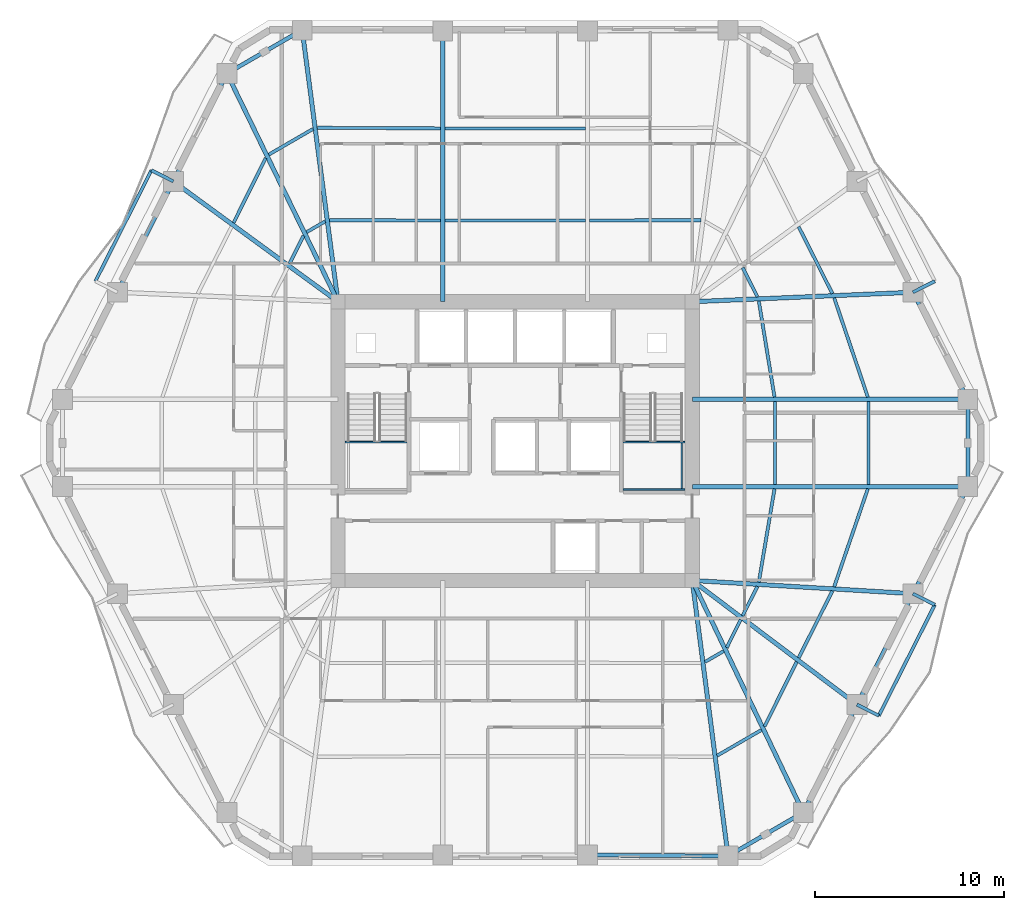
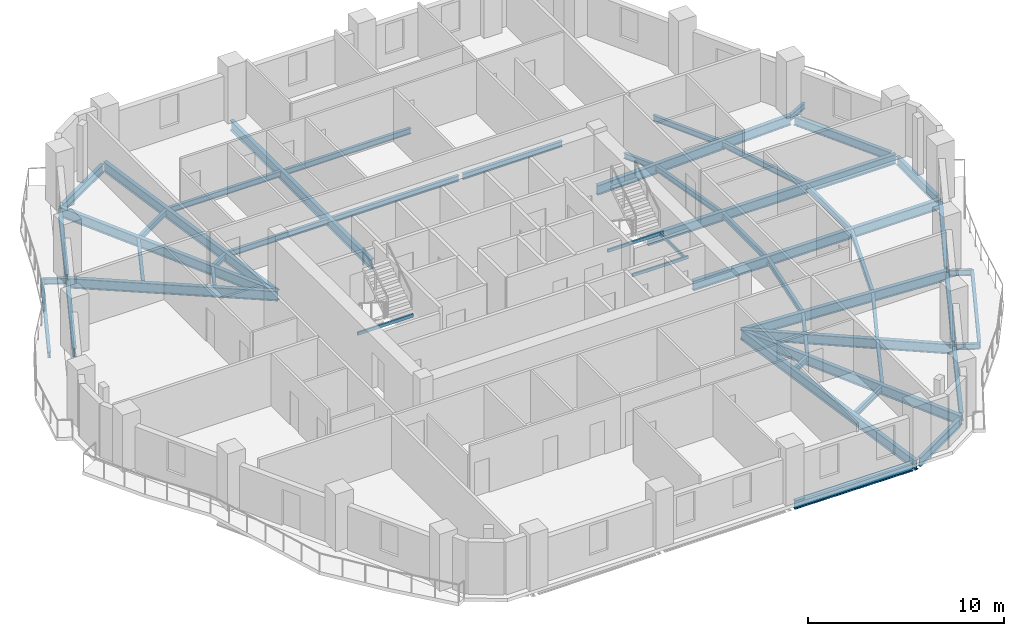
# One storey, part 2 of 11: 54 beams.
"""IFC4 building model written with IfcOpenShell, lengths in metres."""

from ifc_helpers import new_model, si_unit, direction, frame, origin, origin_2d, place, context, subcontext, project, spatial, hollow_rectangle, i_section, extrude, material, material_profile, profile_set, type_object, element, save


model = new_model("IFC4")

# Units and contexts
model_context = context("Model", 3, precision=1e-05, world=origin(), true_north=direction((0.0, 1.0)))
body_context = subcontext(model_context, "Body", "Model", "MODEL_VIEW")
ifc_project = project(units=[si_unit("LENGTHUNIT", "METRE"), si_unit("AREAUNIT", "SQUARE_METRE"), si_unit("VOLUMEUNIT", "CUBIC_METRE"), si_unit("PLANEANGLEUNIT", "RADIAN"), si_unit("MASSUNIT", "GRAM", prefix="KILO")], contexts=[model_context])

# Site, building, storey
site_placement = place(None, origin())
site = spatial("IfcSite", under=ifc_project, at=site_placement, CompositionType="ELEMENT")
building_placement = place(site_placement, origin())
building = spatial("IfcBuilding", under=site, at=building_placement, Name="Cinnabar Lancet Tower", CompositionType="ELEMENT")
storey_placement = place(building_placement, frame((0.0, 0.0, 144.550048828125)))
storey = spatial("IfcBuildingStorey", under=building, at=storey_placement, Name="L38", CompositionType="ELEMENT", Elevation=144.550048828125)

# Beams
ifc_material_1 = material(Name="Structural steel S355", Category="steel")
ifc_material_profile_1 = material_profile(ifc_material_1, i_section(OverallWidth=0.17138671875, OverallDepth=0.35498046875, WebThickness=0.00732421875, FlangeThickness=0.011474609375, FilletRadius=0.01025390625, at=origin_2d()), Name="UKB 356x171x51")
ifc_profile_set_1 = profile_set([ifc_material_profile_1], Name="Structural steel S355")
beam_type_1 = type_object("IfcBeamType", Name="STR-BM-JST-356", PredefinedType="JOIST", material=ifc_profile_set_1)
beam_1_placement = place(storey_placement, frame((43.093994140625, 9.251953125, -0.387939453125), z_axis=(0.865172906898, 0.501473669469, 0.0), x_axis=(-0.501473669469, 0.865172906898, 0.0)))
element("IfcBeam", 1, at=beam_1_placement, inside=storey, type_object=beam_type_1, Name="L38 Secondary Floor Joist 15", PredefinedType="JOIST", context=body_context, shape_type="SweptSolid", body=[
    extrude(i_section(OverallWidth=0.17138671875, OverallDepth=0.35498046875, WebThickness=0.00732421875, FlangeThickness=0.011474609375, FilletRadius=0.01025390625, at=origin_2d()), origin(), (0.0, 0.0, 1.0), 2.705810546875),
])
beam_2_placement = place(storey_placement, frame((42.449951171875, 14.2109375, -0.387939453125), z_axis=(0.865055308165, 0.501676503154, 0.0), x_axis=(-0.501676503154, 0.865055308165, 0.0)))
element("IfcBeam", 2, at=beam_2_placement, inside=storey, type_object=beam_type_1, Name="L38 Secondary Floor Joist 16", PredefinedType="JOIST", context=body_context, shape_type="SweptSolid", body=[
    extrude(i_section(OverallWidth=0.17138671875, OverallDepth=0.35498046875, WebThickness=0.00732421875, FlangeThickness=0.011474609375, FilletRadius=0.01025390625, at=origin_2d()), origin(), (0.0, 0.0, 1.0), 1.14208984375),
])
beam_3_placement = place(storey_placement, frame((45.59912109375, 10.7958984375, -0.387939453125), z_axis=(0.445295120803, 0.895383859241, 0.0), x_axis=(-0.895383859241, 0.445295120803, 0.0)))
element("IfcBeam", 3, at=beam_3_placement, inside=storey, type_object=beam_type_1, Name="L38 Secondary Floor Joist 17", PredefinedType="JOIST", context=body_context, shape_type="SweptSolid", body=[
    extrude(i_section(OverallWidth=0.17138671875, OverallDepth=0.35498046875, WebThickness=0.00732421875, FlangeThickness=0.011474609375, FilletRadius=0.01025390625, at=origin_2d()), origin(), (0.0, 0.0, 1.0), 3.81982421875),
])
beam_4_placement = place(storey_placement, frame((43.60205078125, 14.970947265625, -0.387939453125), z_axis=(0.44543923568, 0.895312173109, 0.0), x_axis=(-0.895312173109, 0.44543923568, 0.0)))
element("IfcBeam", 4, at=beam_4_placement, inside=storey, type_object=beam_type_1, Name="L38 Secondary Floor Joist 18", PredefinedType="JOIST", context=body_context, shape_type="SweptSolid", body=[
    extrude(i_section(OverallWidth=0.17138671875, OverallDepth=0.35498046875, WebThickness=0.00732421875, FlangeThickness=0.011474609375, FilletRadius=0.01025390625, at=origin_2d()), origin(), (0.0, 0.0, 1.0), 1.65185546875),
])
beam_5_placement = place(storey_placement, frame((47.404052734375, 14.424072265625, -0.387939453125), z_axis=(0.450706028652, 0.892672434736, 0.0), x_axis=(-0.892672434736, 0.450706028652, 0.0)))
element("IfcBeam", 5, at=beam_5_placement, inside=storey, type_object=beam_type_1, Name="L38 Secondary Floor Joist 19", PredefinedType="JOIST", context=body_context, shape_type="SweptSolid", body=[
    extrude(i_section(OverallWidth=0.17138671875, OverallDepth=0.35498046875, WebThickness=0.00732421875, FlangeThickness=0.011474609375, FilletRadius=0.01025390625, at=origin_2d()), origin(), (0.0, 0.0, 1.0), 3.966796875),
])
beam_6_placement = place(storey_placement, frame((44.44091796875, 16.657958984375, -0.387939453125), z_axis=(0.450874341268, 0.892587434589, 0.0), x_axis=(-0.892587434589, 0.450874341268, 0.0)))
element("IfcBeam", 6, at=beam_6_placement, inside=storey, type_object=beam_type_1, Name="L38 Secondary Floor Joist 20", PredefinedType="JOIST", context=body_context, shape_type="SweptSolid", body=[
    extrude(i_section(OverallWidth=0.17138671875, OverallDepth=0.35498046875, WebThickness=0.00732421875, FlangeThickness=0.011474609375, FilletRadius=0.01025390625, at=origin_2d()), origin(), (0.0, 0.0, 1.0), 1.732177734375),
])
beam_7_placement = place(storey_placement, frame((49.287109375, 18.18798828125, -0.387939453125), z_axis=(0.324639458548, 0.945837841257, 0.0), x_axis=(-0.945837841257, 0.324639458548, 0.0)))
element("IfcBeam", 7, at=beam_7_placement, inside=storey, type_object=beam_type_1, Name="L38 Secondary Floor Joist 21", PredefinedType="JOIST", context=body_context, shape_type="SweptSolid", body=[
    extrude(i_section(OverallWidth=0.17138671875, OverallDepth=0.35498046875, WebThickness=0.00732421875, FlangeThickness=0.011474609375, FilletRadius=0.01025390625, at=origin_2d()), origin(), (0.0, 0.0, 1.0), 5.486083984375),
])
beam_8_placement = place(storey_placement, frame((45.297119140625, 18.427978515625, -0.387939453125), z_axis=(0.165937104691, 0.986136338082, 0.0), x_axis=(-0.986136338082, 0.165937104691, 0.0)))
element("IfcBeam", 8, at=beam_8_placement, inside=storey, type_object=beam_type_1, Name="L38 Secondary Floor Joist 22", PredefinedType="JOIST", context=body_context, shape_type="SweptSolid", body=[
    extrude(i_section(OverallWidth=0.17138671875, OverallDepth=0.35498046875, WebThickness=0.00732421875, FlangeThickness=0.011474609375, FilletRadius=0.01025390625, at=origin_2d()), origin(), (0.0, 0.0, 1.0), 5.0185546875),
])
for number, where, z_axis, x_axis, name in (
    (9, (51.10693359375, 23.60498046875, -0.387939453125), (0.0, 1.0, 0.0), (-1.0, 0.0, 0.0), "L38 Secondary Floor Joist 23"),
    (10, (46.14990234375, 23.60498046875, -0.387939453125), (0.0, 1.0, 0.0), (-1.0, 0.0, 0.0), "L38 Secondary Floor Joist 24"),
):
    element("IfcBeam", number, at=place(storey_placement, frame(where, z_axis=z_axis, x_axis=x_axis)), inside=storey, type_object=beam_type_1, Name=name, PredefinedType="JOIST", context=body_context, shape_type="SweptSolid", body=[
        extrude(i_section(OverallWidth=0.17138671875, OverallDepth=0.35498046875, WebThickness=0.00732421875, FlangeThickness=0.011474609375, FilletRadius=0.01025390625, at=origin_2d()), origin(), (0.0, 0.0, 1.0), 4.39013671875),
    ])
beam_9_placement = place(storey_placement, frame((51.069091796875, 28.222900390625, -0.387939453125), z_axis=(-0.321063338019, 0.947057724207, 0.0), x_axis=(-0.947057724207, -0.321063338019, 0.0)))
element("IfcBeam", 11, at=beam_9_placement, inside=storey, type_object=beam_type_1, Name="L38 Secondary Floor Joist 25", PredefinedType="JOIST", context=body_context, shape_type="SweptSolid", body=[
    extrude(i_section(OverallWidth=0.17138671875, OverallDepth=0.35498046875, WebThickness=0.00732421875, FlangeThickness=0.011474609375, FilletRadius=0.01025390625, at=origin_2d()), origin(), (0.0, 0.0, 1.0), 5.553955078125),
])
beam_10_placement = place(storey_placement, frame((46.131103515625, 28.222900390625, -0.387939453125), z_axis=(-0.161719098977, 0.986836832017, 0.0), x_axis=(-0.986836832017, -0.161719098977, 0.0)))
element("IfcBeam", 12, at=beam_10_placement, inside=storey, type_object=beam_type_1, Name="L38 Secondary Floor Joist 26", PredefinedType="JOIST", context=body_context, shape_type="SweptSolid", body=[
    extrude(i_section(OverallWidth=0.17138671875, OverallDepth=0.35498046875, WebThickness=0.00732421875, FlangeThickness=0.011474609375, FilletRadius=0.01025390625, at=origin_2d()), origin(), (0.0, 0.0, 1.0), 5.156982421875),
])
beam_11_placement = place(storey_placement, frame((49.19189453125, 33.70703125, -0.387939453125), z_axis=(-0.450606998706, 0.892722427587, 0.0), x_axis=(-0.892722427587, -0.450606998706, 0.0)))
element("IfcBeam", 13, at=beam_11_placement, inside=storey, type_object=beam_type_1, Name="L38 Secondary Floor Joist 27", PredefinedType="JOIST", context=body_context, shape_type="SweptSolid", body=[
    extrude(i_section(OverallWidth=0.17138671875, OverallDepth=0.35498046875, WebThickness=0.00732421875, FlangeThickness=0.011474609375, FilletRadius=0.01025390625, at=origin_2d()), origin(), (0.0, 0.0, 1.0), 3.967529296875),
])
beam_12_placement = place(storey_placement, frame((45.221923828125, 33.537109375, -0.387939453125), z_axis=(-0.450931068976, 0.892558777354, 0.0), x_axis=(-0.892558777354, -0.450931068976, 0.0)))
element("IfcBeam", 14, at=beam_12_placement, inside=storey, type_object=beam_type_1, Name="L38 Secondary Floor Joist 28", PredefinedType="JOIST", context=body_context, shape_type="SweptSolid", body=[
    extrude(i_section(OverallWidth=0.17138671875, OverallDepth=0.35498046875, WebThickness=0.00732421875, FlangeThickness=0.011474609375, FilletRadius=0.01025390625, at=origin_2d()), origin(), (0.0, 0.0, 1.0), 1.73193359375),
])
beam_13_placement = place(storey_placement, frame((42.22802734375, 37.591064453125, -0.387939453125), z_axis=(-0.999996247906, -0.002739374605, 0.0), x_axis=(0.002739374605, -0.999996247906, 0.0)))
element("IfcBeam", 15, at=beam_13_placement, inside=storey, type_object=beam_type_1, Name="L38 Secondary Floor Joist 34", PredefinedType="JOIST", context=body_context, shape_type="SweptSolid", body=[
    extrude(i_section(OverallWidth=0.17138671875, OverallDepth=0.35498046875, WebThickness=0.00732421875, FlangeThickness=0.011474609375, FilletRadius=0.01025390625, at=origin_2d()), origin(), (0.0, 0.0, 1.0), 5.882080078125),
])
for number, where, z_axis, x_axis, name in (
    (16, (36.117919921875, 42.447998046875, -0.387939453125), (-1.0, 0.0, 0.0), (0.0, -1.0, 0.0), "L38 Secondary Floor Joist 35"),
    (17, (36.117919921875, 37.574951171875, -0.387939453125), (-1.0, 0.0, 0.0), (0.0, -1.0, 0.0), "L38 Secondary Floor Joist 36"),
):
    element("IfcBeam", number, at=place(storey_placement, frame(where, z_axis=z_axis, x_axis=x_axis)), inside=storey, type_object=beam_type_1, Name=name, PredefinedType="JOIST", context=body_context, shape_type="SweptSolid", body=[
        extrude(i_section(OverallWidth=0.17138671875, OverallDepth=0.35498046875, WebThickness=0.00732421875, FlangeThickness=0.011474609375, FilletRadius=0.01025390625, at=origin_2d()), origin(), (0.0, 0.0, 1.0), 7.43603515625),
    ])
beam_14_placement = place(storey_placement, frame((28.4541015625, 42.448974609375, -0.387939453125), z_axis=(-0.999987991898, 0.004900618269, 0.0), x_axis=(-0.004900618269, -0.999987991898, 0.0)))
element("IfcBeam", 18, at=beam_14_placement, inside=storey, type_object=beam_type_1, Name="L38 Secondary Floor Joist 37", PredefinedType="JOIST", context=body_context, shape_type="SweptSolid", body=[
    extrude(i_section(OverallWidth=0.17138671875, OverallDepth=0.35498046875, WebThickness=0.00732421875, FlangeThickness=0.011474609375, FilletRadius=0.01025390625, at=origin_2d()), origin(), (0.0, 0.0, 1.0), 6.526123046875),
])
beam_15_placement = place(storey_placement, frame((28.4541015625, 37.574951171875, -0.387939453125), z_axis=(-0.999996247906, 0.002739374605, 0.0), x_axis=(-0.002739374605, -0.999996247906, 0.0)))
element("IfcBeam", 19, at=beam_15_placement, inside=storey, type_object=beam_type_1, Name="L38 Secondary Floor Joist 38", PredefinedType="JOIST", context=body_context, shape_type="SweptSolid", body=[
    extrude(i_section(OverallWidth=0.17138671875, OverallDepth=0.35498046875, WebThickness=0.00732421875, FlangeThickness=0.011474609375, FilletRadius=0.01025390625, at=origin_2d()), origin(), (0.0, 0.0, 1.0), 5.882080078125),
])
beam_16_placement = place(storey_placement, frame((21.7060546875, 42.419921875, -0.387939453125), z_axis=(-0.865172906898, -0.501473669469, 0.0), x_axis=(0.501473669469, -0.865172906898, 0.0)))
element("IfcBeam", 20, at=beam_16_placement, inside=storey, type_object=beam_type_1, Name="L38 Secondary Floor Joist 39", PredefinedType="JOIST", context=body_context, shape_type="SweptSolid", body=[
    extrude(i_section(OverallWidth=0.17138671875, OverallDepth=0.35498046875, WebThickness=0.00732421875, FlangeThickness=0.011474609375, FilletRadius=0.01025390625, at=origin_2d()), origin(), (0.0, 0.0, 1.0), 2.705810546875),
])
beam_17_placement = place(storey_placement, frame((22.35009765625, 37.529052734375, -0.387939453125), z_axis=(-0.865055308165, -0.501676503154, 0.0), x_axis=(0.501676503154, -0.865055308165, 0.0)))
element("IfcBeam", 21, at=beam_17_placement, inside=storey, type_object=beam_type_1, Name="L38 Secondary Floor Joist 40", PredefinedType="JOIST", context=body_context, shape_type="SweptSolid", body=[
    extrude(i_section(OverallWidth=0.17138671875, OverallDepth=0.35498046875, WebThickness=0.00732421875, FlangeThickness=0.011474609375, FilletRadius=0.01025390625, at=origin_2d()), origin(), (0.0, 0.0, 1.0), 1.14208984375),
])
beam_18_placement = place(storey_placement, frame((19.200927734375, 40.876953125, -0.387939453125), z_axis=(-0.445116798807, -0.895472520751, 0.0), x_axis=(0.895472520751, -0.445116798807, 0.0)))
element("IfcBeam", 22, at=beam_18_placement, inside=storey, type_object=beam_type_1, Name="L38 Secondary Floor Joist 41", PredefinedType="JOIST", context=body_context, shape_type="SweptSolid", body=[
    extrude(i_section(OverallWidth=0.17138671875, OverallDepth=0.35498046875, WebThickness=0.00732421875, FlangeThickness=0.011474609375, FilletRadius=0.01025390625, at=origin_2d()), origin(), (0.0, 0.0, 1.0), 3.8212890625),
])
beam_19_placement = place(storey_placement, frame((21.198974609375, 36.77001953125, -0.387939453125), z_axis=(-0.445795466264, -0.895134851438, 0.0), x_axis=(0.895134851438, -0.445795466264, 0.0)))
element("IfcBeam", 23, at=beam_19_placement, inside=storey, type_object=beam_type_1, Name="L38 Secondary Floor Joist 42", PredefinedType="JOIST", context=body_context, shape_type="SweptSolid", body=[
    extrude(i_section(OverallWidth=0.17138671875, OverallDepth=0.35498046875, WebThickness=0.00732421875, FlangeThickness=0.011474609375, FilletRadius=0.01025390625, at=origin_2d()), origin(), (0.0, 0.0, 1.0), 1.6533203125),
])
ifc_material_2 = material(Name="Structural steel S355", Category="steel")
ifc_material_profile_2 = material_profile(ifc_material_2, hollow_rectangle(XDim=0.10009765625, YDim=0.199951171875, WallThickness=0.008056640625, InnerFilletRadius=0.00390625, OuterFilletRadius=0.011962890625, at=origin_2d()), Name="RHS 200x100x8")
ifc_profile_set_2 = profile_set([ifc_material_profile_2], Name="Structural steel S355")
beam_type_2 = type_object("IfcBeamType", Name="STR-BM-LND-203", PredefinedType="BEAM", material=ifc_profile_set_2)
beam_20_placement = place(storey_placement, frame((23.39990234375, 25.844970703125, 1.474853515625), z_axis=(1.0, 0.0, 0.0), x_axis=(0.0, 1.0, 0.0)))
element("IfcBeam", 24, at=beam_20_placement, inside=storey, type_object=beam_type_2, Name="L38 ST-1-L38 Landing Support Beam N", PredefinedType="BEAM", context=body_context, shape_type="SweptSolid", body=[
    extrude(hollow_rectangle(XDim=0.10009765625, YDim=0.199951171875, WallThickness=0.008056640625, InnerFilletRadius=0.00390625, OuterFilletRadius=0.011962890625, at=origin_2d()), origin(), (0.0, 0.0, 1.0), 3.280029296875),
])
for number, where, z_axis, x_axis, name in (
    (25, (38.1201171875, 23.330078125, 1.474853515625), (1.0, 0.0, 0.0), (0.0, 1.0, 0.0), "L38 ST-2-L38 Landing Support Beam S"),
    (26, (38.1201171875, 25.844970703125, 1.474853515625), (1.0, 0.0, 0.0), (0.0, 1.0, 0.0), "L38 ST-2-L38 Landing Support Beam N"),
):
    element("IfcBeam", number, at=place(storey_placement, frame(where, z_axis=z_axis, x_axis=x_axis)), inside=storey, type_object=beam_type_2, Name=name, PredefinedType="BEAM", context=body_context, shape_type="SweptSolid", body=[
        extrude(hollow_rectangle(XDim=0.10009765625, YDim=0.199951171875, WallThickness=0.008056640625, InnerFilletRadius=0.00390625, OuterFilletRadius=0.011962890625, at=origin_2d()), origin(), (0.0, 0.0, 1.0), 3.27978515625),
    ])
beam_21_placement = place(storey_placement, frame((41.219970703125, 23.3798828125, 1.474853515625), z_axis=(0.0, 1.0, 0.0), x_axis=(-1.0, 0.0, 0.0)))
element("IfcBeam", 27, at=beam_21_placement, inside=storey, type_object=beam_type_2, Name="L38 ST-2-L38 Landing Side Trimmer Beam", PredefinedType="BEAM", context=body_context, shape_type="SweptSolid", body=[
    extrude(hollow_rectangle(XDim=0.10009765625, YDim=0.199951171875, WallThickness=0.008056640625, InnerFilletRadius=0.00390625, OuterFilletRadius=0.011962890625, at=origin_2d()), origin(), (0.0, 0.0, 1.0), 2.4150390625),
])
ifc_material_3 = material(Name="Structural steel S355", Category="steel")
ifc_material_profile_3 = material_profile(ifc_material_3, i_section(OverallWidth=0.209228515625, OverallDepth=0.533203125, WebThickness=0.010009765625, FlangeThickness=0.015625, FilletRadius=0.0126953125, at=origin_2d()), Name="UKB 533x210x92")
ifc_profile_set_3 = profile_set([ifc_material_profile_3], Name="Structural steel S355")
beam_type_3 = type_object("IfcBeamType", Name="STR-BM-SPN-533", PredefinedType="SPANDREL", material=ifc_profile_set_3)
beam_22_placement = place(storey_placement, frame((36.48193359375, 3.989990234375, -0.47705078125), z_axis=(0.999974980359, -0.007073800628, 0.0), x_axis=(0.007073800628, 0.999974980359, 0.0)))
element("IfcBeam", 28, at=beam_22_placement, inside=storey, type_object=beam_type_3, Name="L38 Perimeter Spandrel 3", PredefinedType="SPANDREL", context=body_context, shape_type="SweptSolid", body=[
    extrude(i_section(OverallWidth=0.209228515625, OverallDepth=0.533203125, WebThickness=0.010009765625, FlangeThickness=0.015625, FilletRadius=0.0126953125, at=origin_2d()), origin(), (0.0, 0.0, 1.0), 6.937255859375),
])
beam_23_placement = place(storey_placement, frame((43.885009765625, 4.06396484375, -0.47705078125), z_axis=(0.865112299906, 0.501578217781, 0.0), x_axis=(-0.501578217781, 0.865112299906, 0.0)))
element("IfcBeam", 29, at=beam_23_placement, inside=storey, type_object=beam_type_3, Name="L38 Perimeter Spandrel 4", PredefinedType="SPANDREL", context=body_context, shape_type="SweptSolid", body=[
    extrude(i_section(OverallWidth=0.209228515625, OverallDepth=0.533203125, WebThickness=0.010009765625, FlangeThickness=0.015625, FilletRadius=0.0126953125, at=origin_2d()), origin(), (0.0, 0.0, 1.0), 4.101318359375),
])
beam_24_placement = place(storey_placement, frame((47.760009765625, 6.469970703125, -0.47705078125), z_axis=(0.445501068635, 0.89528140707, 0.0), x_axis=(-0.89528140707, 0.445501068635, 0.0)))
element("IfcBeam", 30, at=beam_24_placement, inside=storey, type_object=beam_type_3, Name="L38 Perimeter Spandrel 5", PredefinedType="SPANDREL", context=body_context, shape_type="SweptSolid", body=[
    extrude(i_section(OverallWidth=0.209228515625, OverallDepth=0.533203125, WebThickness=0.010009765625, FlangeThickness=0.015625, FilletRadius=0.0126953125, at=origin_2d()), origin(), (0.0, 0.0, 1.0), 5.87646484375),
])
beam_25_placement = place(storey_placement, frame((50.60205078125, 12.177978515625, -0.47705078125), z_axis=(0.450570325924, 0.892740937449, 0.0), x_axis=(-0.892740937449, 0.450570325924, 0.0)))
element("IfcBeam", 31, at=beam_25_placement, inside=storey, type_object=beam_type_3, Name="L38 Perimeter Spandrel 6", PredefinedType="SPANDREL", context=body_context, shape_type="SweptSolid", body=[
    extrude(i_section(OverallWidth=0.209228515625, OverallDepth=0.533203125, WebThickness=0.010009765625, FlangeThickness=0.015625, FilletRadius=0.0126953125, at=origin_2d()), origin(), (0.0, 0.0, 1.0), 6.07470703125),
])
beam_26_placement = place(storey_placement, frame((53.56591796875, 18.0458984375, -0.47705078125), z_axis=(0.456109733574, 0.889923542187, 0.0), x_axis=(-0.889923542187, 0.456109733574, 0.0)))
element("IfcBeam", 32, at=beam_26_placement, inside=storey, type_object=beam_type_3, Name="L38 Perimeter Spandrel 7", PredefinedType="SPANDREL", context=body_context, shape_type="SweptSolid", body=[
    extrude(i_section(OverallWidth=0.209228515625, OverallDepth=0.533203125, WebThickness=0.010009765625, FlangeThickness=0.015625, FilletRadius=0.0126953125, at=origin_2d()), origin(), (0.0, 0.0, 1.0), 5.869140625),
])
beam_27_placement = place(storey_placement, frame((56.35693359375, 23.740966796875, -0.47705078125), z_axis=(0.0, 1.0, 0.0), x_axis=(-1.0, 0.0, 0.0)))
element("IfcBeam", 33, at=beam_27_placement, inside=storey, type_object=beam_type_3, Name="L38 Perimeter Spandrel 8", PredefinedType="SPANDREL", context=body_context, shape_type="SweptSolid", body=[
    extrude(i_section(OverallWidth=0.209228515625, OverallDepth=0.533203125, WebThickness=0.010009765625, FlangeThickness=0.015625, FilletRadius=0.0126953125, at=origin_2d()), origin(), (0.0, 0.0, 1.0), 4.117919921875),
])
beam_28_placement = place(storey_placement, frame((56.242919921875, 28.3310546875, -0.47705078125), z_axis=(-0.456126618405, 0.889914888055, 0.0), x_axis=(-0.889914888055, -0.456126618405, 0.0)))
element("IfcBeam", 34, at=beam_28_placement, inside=storey, type_object=beam_type_3, Name="L38 Perimeter Spandrel 9", PredefinedType="SPANDREL", context=body_context, shape_type="SweptSolid", body=[
    extrude(i_section(OverallWidth=0.209228515625, OverallDepth=0.533203125, WebThickness=0.010009765625, FlangeThickness=0.015625, FilletRadius=0.0126953125, at=origin_2d()), origin(), (0.0, 0.0, 1.0), 5.868896484375),
])
beam_29_placement = place(storey_placement, frame((20.9150390625, 47.535888671875, -0.47705078125), z_axis=(-0.865138129765, -0.5015336643, 0.0), x_axis=(0.5015336643, -0.865138129765, 0.0)))
element("IfcBeam", 35, at=beam_29_placement, inside=storey, type_object=beam_type_3, Name="L38 Perimeter Spandrel 16", PredefinedType="SPANDREL", context=body_context, shape_type="SweptSolid", body=[
    extrude(i_section(OverallWidth=0.209228515625, OverallDepth=0.533203125, WebThickness=0.010009765625, FlangeThickness=0.015625, FilletRadius=0.0126953125, at=origin_2d()), origin(), (0.0, 0.0, 1.0), 4.10107421875),
])
beam_30_placement = place(storey_placement, frame((17.0400390625, 45.1298828125, -0.47705078125), z_axis=(-0.445501068635, -0.89528140707, 0.0), x_axis=(0.89528140707, -0.445501068635, 0.0)))
element("IfcBeam", 36, at=beam_30_placement, inside=storey, type_object=beam_type_3, Name="L38 Perimeter Spandrel 17", PredefinedType="SPANDREL", context=body_context, shape_type="SweptSolid", body=[
    extrude(i_section(OverallWidth=0.209228515625, OverallDepth=0.533203125, WebThickness=0.010009765625, FlangeThickness=0.015625, FilletRadius=0.0126953125, at=origin_2d()), origin(), (0.0, 0.0, 1.0), 5.87646484375),
])
beam_31_placement = place(storey_placement, frame((14.197998046875, 39.422119140625, -0.47705078125), z_axis=(-0.450570325924, -0.892740937449, 0.0), x_axis=(0.892740937449, -0.450570325924, 0.0)))
element("IfcBeam", 37, at=beam_31_placement, inside=storey, type_object=beam_type_3, Name="L38 Perimeter Spandrel 18", PredefinedType="SPANDREL", context=body_context, shape_type="SweptSolid", body=[
    extrude(i_section(OverallWidth=0.209228515625, OverallDepth=0.533203125, WebThickness=0.010009765625, FlangeThickness=0.015625, FilletRadius=0.0126953125, at=origin_2d()), origin(), (0.0, 0.0, 1.0), 6.07470703125),
])
ifc_material_4 = material(Name="Structural steel S355", Category="steel")
ifc_material_profile_4 = material_profile(ifc_material_4, i_section(OverallWidth=0.228271484375, OverallDepth=0.607666015625, WebThickness=0.010986328125, FlangeThickness=0.017333984375, FilletRadius=0.0126953125, at=origin_2d()), Name="UKB 610x229x113")
ifc_profile_set_4 = profile_set([ifc_material_profile_4], Name="Structural steel S355")
beam_type_4 = type_object("IfcBeamType", Name="STR-BM-UKB610-113", PredefinedType="BEAM", material=ifc_profile_set_4)
beam_32_placement = place(storey_placement, frame((50.489013671875, 11.955078125, -0.51416015625), z_axis=(-0.798491457835, 0.602006139308, 0.0), x_axis=(-0.602006139308, -0.798491457835, 0.0)))
element("IfcBeam", 38, at=beam_32_placement, inside=storey, type_object=beam_type_4, Name="L38 Corner Collector Girder 2", PredefinedType="BEAM", context=body_context, shape_type="SweptSolid", body=[
    extrude(i_section(OverallWidth=0.228271484375, OverallDepth=0.607666015625, WebThickness=0.010986328125, FlangeThickness=0.017333984375, FilletRadius=0.0126953125, at=origin_2d()), origin(), (0.0, 0.0, 1.0), 10.913330078125),
])
beam_33_placement = place(storey_placement, frame((14.31103515625, 39.64501953125, -0.51416015625), z_axis=(0.807289993592, -0.590154951048, 0.0), x_axis=(0.590154951048, 0.807289993592, 0.0)))
element("IfcBeam", 39, at=beam_33_placement, inside=storey, type_object=beam_type_4, Name="L38 Corner Collector Girder 4", PredefinedType="BEAM", context=body_context, shape_type="SweptSolid", body=[
    extrude(i_section(OverallWidth=0.228271484375, OverallDepth=0.607666015625, WebThickness=0.010986328125, FlangeThickness=0.017333984375, FilletRadius=0.0126953125, at=origin_2d()), origin(), (0.0, 0.0, 1.0), 10.7939453125),
])
beam_34_placement = place(storey_placement, frame((43.6689453125, 3.93896484375, -0.51416015625), z_axis=(-0.12877289353, 0.99167411073, 0.0), x_axis=(-0.99167411073, -0.12877289353, 0.0)))
element("IfcBeam", 40, at=beam_34_placement, inside=storey, type_object=beam_type_4, Name="L38 Primary Floor Girder 4", PredefinedType="BEAM", context=body_context, shape_type="SweptSolid", body=[
    extrude(i_section(OverallWidth=0.228271484375, OverallDepth=0.607666015625, WebThickness=0.010986328125, FlangeThickness=0.017333984375, FilletRadius=0.0126953125, at=origin_2d()), origin(), (0.0, 0.0, 1.0), 14.70849609375),
])
beam_35_placement = place(storey_placement, frame((47.64892578125, 6.24609375, -0.51416015625), z_axis=(-0.431548156881, 0.902089900339, 0.0), x_axis=(-0.902089900339, -0.431548156881, 0.0)))
element("IfcBeam", 41, at=beam_35_placement, inside=storey, type_object=beam_type_4, Name="L38 Primary Floor Girder 5", PredefinedType="BEAM", context=body_context, shape_type="SweptSolid", body=[
    extrude(i_section(OverallWidth=0.228271484375, OverallDepth=0.607666015625, WebThickness=0.010986328125, FlangeThickness=0.017333984375, FilletRadius=0.0126953125, at=origin_2d()), origin(), (0.0, 0.0, 1.0), 13.611572265625),
])
beam_36_placement = place(storey_placement, frame((53.451904296875, 17.823974609375, -0.51416015625), z_axis=(-0.998203272991, 0.059918492897, 0.0), x_axis=(-0.059918492897, -0.998203272991, 0.0)))
element("IfcBeam", 42, at=beam_36_placement, inside=storey, type_object=beam_type_4, Name="L38 Primary Floor Girder 7", PredefinedType="BEAM", context=body_context, shape_type="SweptSolid", body=[
    extrude(i_section(OverallWidth=0.228271484375, OverallDepth=0.607666015625, WebThickness=0.010986328125, FlangeThickness=0.017333984375, FilletRadius=0.0126953125, at=origin_2d()), origin(), (0.0, 0.0, 1.0), 11.697998046875),
])
for number, where, z_axis, x_axis, name in (
    (43, (56.35693359375, 23.490966796875, -0.51416015625), (-1.0, 0.0, 0.0), (0.0, -1.0, 0.0), "L38 Primary Floor Girder 8"),
    (44, (56.35693359375, 28.10888671875, -0.51416015625), (-1.0, 0.0, 0.0), (0.0, -1.0, 0.0), "L38 Primary Floor Girder 9"),
):
    element("IfcBeam", number, at=place(storey_placement, frame(where, z_axis=z_axis, x_axis=x_axis)), inside=storey, type_object=beam_type_4, Name=name, PredefinedType="BEAM", context=body_context, shape_type="SweptSolid", body=[
        extrude(i_section(OverallWidth=0.228271484375, OverallDepth=0.607666015625, WebThickness=0.010986328125, FlangeThickness=0.017333984375, FilletRadius=0.0126953125, at=origin_2d()), origin(), (0.0, 0.0, 1.0), 14.58203125),
    ])
beam_37_placement = place(storey_placement, frame((53.451904296875, 33.77587890625, -0.51416015625), z_axis=(-0.999080941658, -0.042863411158, 0.0), x_axis=(0.042863411158, -0.999080941658, 0.0)))
element("IfcBeam", 45, at=beam_37_placement, inside=storey, type_object=beam_type_4, Name="L38 Primary Floor Girder 10", PredefinedType="BEAM", context=body_context, shape_type="SweptSolid", body=[
    extrude(i_section(OverallWidth=0.228271484375, OverallDepth=0.607666015625, WebThickness=0.010986328125, FlangeThickness=0.017333984375, FilletRadius=0.0126953125, at=origin_2d()), origin(), (0.0, 0.0, 1.0), 11.687744140625),
])
beam_38_placement = place(storey_placement, frame((28.568115234375, 47.60791015625, -0.51416015625), z_axis=(0.0, -1.0, 0.0), x_axis=(1.0, 0.0, 0.0)))
element("IfcBeam", 46, at=beam_38_placement, inside=storey, type_object=beam_type_4, Name="L38 Primary Floor Girder 15", PredefinedType="BEAM", context=body_context, shape_type="SweptSolid", body=[
    extrude(i_section(OverallWidth=0.228271484375, OverallDepth=0.607666015625, WebThickness=0.010986328125, FlangeThickness=0.017333984375, FilletRadius=0.0126953125, at=origin_2d()), origin(), (0.0, 0.0, 1.0), 14.3330078125),
])
beam_39_placement = place(storey_placement, frame((21.131103515625, 47.660888671875, -0.51416015625), z_axis=(0.130515881524, -0.991446218748, 0.0), x_axis=(0.991446218748, 0.130515881524, 0.0)))
element("IfcBeam", 47, at=beam_39_placement, inside=storey, type_object=beam_type_4, Name="L38 Primary Floor Girder 16", PredefinedType="BEAM", context=body_context, shape_type="SweptSolid", body=[
    extrude(i_section(OverallWidth=0.228271484375, OverallDepth=0.607666015625, WebThickness=0.010986328125, FlangeThickness=0.017333984375, FilletRadius=0.0126953125, at=origin_2d()), origin(), (0.0, 0.0, 1.0), 14.510009765625),
])
beam_40_placement = place(storey_placement, frame((17.15087890625, 45.35400390625, -0.51416015625), z_axis=(0.437327473227, -0.899302330232, 0.0), x_axis=(0.899302330232, 0.437327473227, 0.0)))
element("IfcBeam", 48, at=beam_40_placement, inside=storey, type_object=beam_type_4, Name="L38 Primary Floor Girder 17", PredefinedType="BEAM", context=body_context, shape_type="SweptSolid", body=[
    extrude(i_section(OverallWidth=0.228271484375, OverallDepth=0.607666015625, WebThickness=0.010986328125, FlangeThickness=0.017333984375, FilletRadius=0.0126953125, at=origin_2d()), origin(), (0.0, 0.0, 1.0), 13.431640625),
])
ifc_material_5 = material(Name="Structural steel S355", Category="steel")
ifc_material_profile_5 = material_profile(ifc_material_5, i_section(OverallWidth=0.17138671875, OverallDepth=0.35498046875, WebThickness=0.00732421875, FlangeThickness=0.011474609375, FilletRadius=0.01025390625, at=origin_2d()), Name="UKB 356x171x51")
ifc_profile_set_5 = profile_set([ifc_material_profile_5], Name="Structural steel S355")
beam_type_5 = type_object("IfcBeamType", Name="STR-BM-WAV-OUT", PredefinedType="BEAM", material=ifc_profile_set_5)
for number, where, z_axis, x_axis, name in (
    (49, (50.489013671875, 11.955078125, -0.39697265625), (0.892200264127, -0.451639998995, 0.0), (0.451639998995, 0.892200264127, 0.0), "L38 Face 2 Balcony Outlooker A"),
    (50, (53.451904296875, 17.823974609375, -0.39697265625), (0.892314203325, -0.451414845285, 0.0), (0.451414845285, 0.892314203325, 0.0), "L38 Face 2 Balcony Outlooker B"),
):
    element("IfcBeam", number, at=place(storey_placement, frame(where, z_axis=z_axis, x_axis=x_axis)), inside=storey, type_object=beam_type_5, Name=name, PredefinedType="BEAM", context=body_context, shape_type="SweptSolid", body=[
        extrude(i_section(OverallWidth=0.17138671875, OverallDepth=0.35498046875, WebThickness=0.00732421875, FlangeThickness=0.011474609375, FilletRadius=0.01025390625, at=origin_2d()), origin(), (0.0, 0.0, 1.0), 1.300048828125),
    ])
beam_41_placement = place(storey_placement, frame((53.451904296875, 33.77587890625, -0.39697265625), z_axis=(0.892238560088, 0.451564338597, 0.0), x_axis=(-0.451564338597, 0.892238560088, 0.0)))
element("IfcBeam", 51, at=beam_41_placement, inside=storey, type_object=beam_type_5, Name="L38 Face 3 Balcony Outlooker A", PredefinedType="BEAM", context=body_context, shape_type="SweptSolid", body=[
    extrude(i_section(OverallWidth=0.17138671875, OverallDepth=0.35498046875, WebThickness=0.00732421875, FlangeThickness=0.011474609375, FilletRadius=0.01025390625, at=origin_2d()), origin(), (0.0, 0.0, 1.0), 1.30029296875),
])
beam_42_placement = place(storey_placement, frame((14.31103515625, 39.64501953125, -0.39697265625), z_axis=(-0.892314203325, 0.451414845285, 0.0), x_axis=(-0.451414845285, -0.892314203325, 0.0)))
element("IfcBeam", 52, at=beam_42_placement, inside=storey, type_object=beam_type_5, Name="L38 Face 5 Balcony Outlooker A", PredefinedType="BEAM", context=body_context, shape_type="SweptSolid", body=[
    extrude(i_section(OverallWidth=0.17138671875, OverallDepth=0.35498046875, WebThickness=0.00732421875, FlangeThickness=0.011474609375, FilletRadius=0.01025390625, at=origin_2d()), origin(), (0.0, 0.0, 1.0), 1.300048828125),
])
ifc_material_6 = material(Name="Structural steel S355", Category="steel")
ifc_material_profile_6 = material_profile(ifc_material_6, i_section(OverallWidth=0.17138671875, OverallDepth=0.35498046875, WebThickness=0.00732421875, FlangeThickness=0.011474609375, FilletRadius=0.01025390625, at=origin_2d()), Name="UKB 356x171x51")
ifc_profile_set_6 = profile_set([ifc_material_profile_6], Name="Structural steel S355")
beam_type_6 = type_object("IfcBeamType", Name="STR-BM-WAV-TRIM", PredefinedType="SPANDREL", material=ifc_profile_set_6)
beam_43_placement = place(storey_placement, frame((51.64892578125, 11.367919921875, -0.39697265625), z_axis=(0.450685888317, 0.892682603209, 0.0), x_axis=(-0.892682603209, 0.450685888317, 0.0)))
element("IfcBeam", 53, at=beam_43_placement, inside=storey, type_object=beam_type_6, Name="L38 Face 2 Balcony Edge Trimmer", PredefinedType="SPANDREL", context=body_context, shape_type="SweptSolid", body=[
    extrude(i_section(OverallWidth=0.17138671875, OverallDepth=0.35498046875, WebThickness=0.00732421875, FlangeThickness=0.011474609375, FilletRadius=0.01025390625, at=origin_2d()), origin(), (0.0, 0.0, 1.0), 6.57470703125),
])
beam_44_placement = place(storey_placement, frame((13.15087890625, 40.23193359375, -0.39697265625), z_axis=(-0.450671236139, -0.892690000457, 0.0), x_axis=(0.892690000457, -0.450671236139, 0.0)))
element("IfcBeam", 54, at=beam_44_placement, inside=storey, type_object=beam_type_6, Name="L38 Face 5 Balcony Edge Trimmer", PredefinedType="SPANDREL", context=body_context, shape_type="SweptSolid", body=[
    extrude(i_section(OverallWidth=0.17138671875, OverallDepth=0.35498046875, WebThickness=0.00732421875, FlangeThickness=0.011474609375, FilletRadius=0.01025390625, at=origin_2d()), origin(), (0.0, 0.0, 1.0), 6.574462890625),
])

save(model, "model.ifc")
